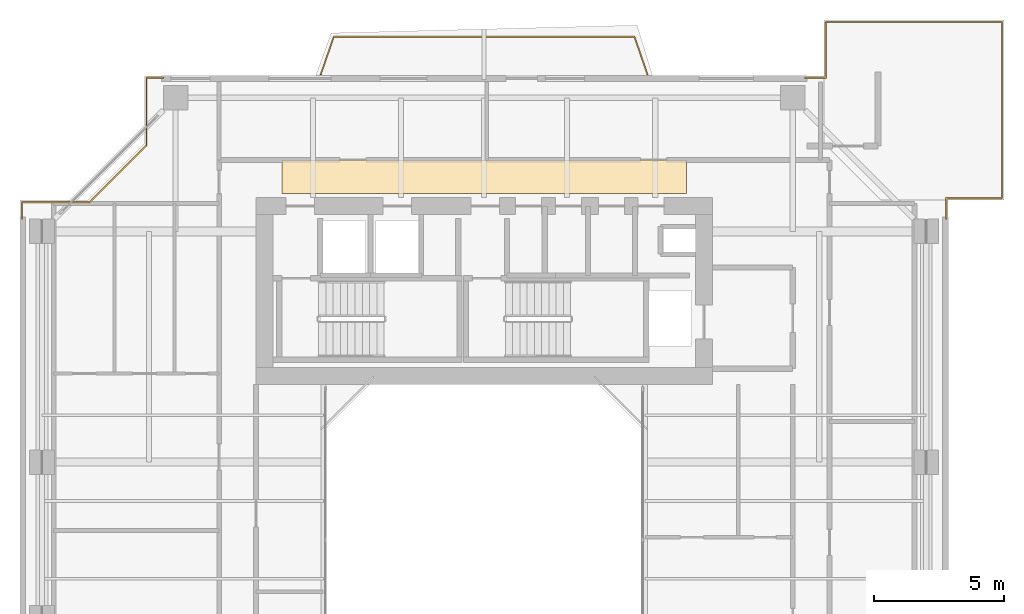
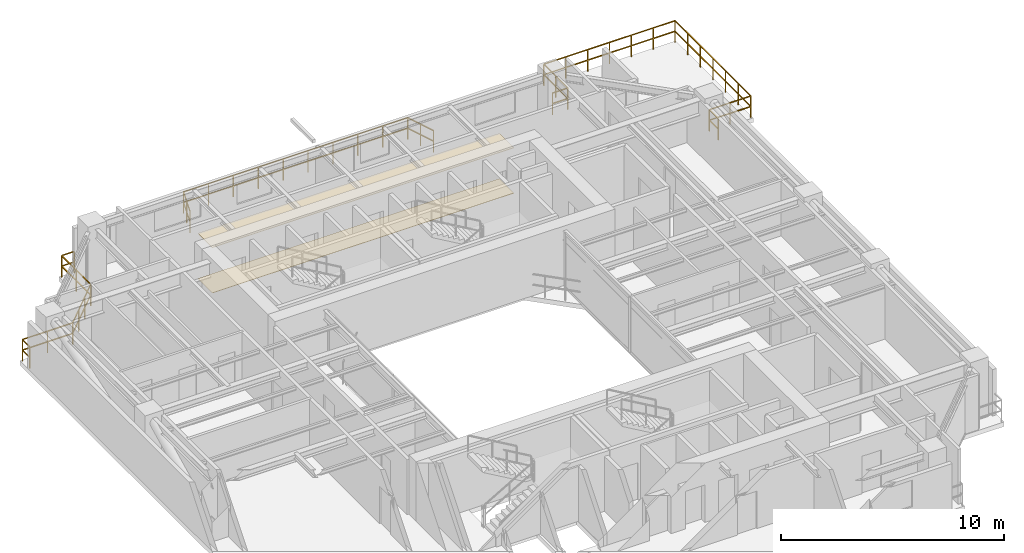
# One storey, part 14 of 14: 3 railings, 2 coverings.
"""IFC4 building model written with IfcOpenShell, lengths in metres."""

from ifc_helpers import new_model, si_unit, direction, frame, origin, origin_2d, place, context, subcontext, project, spatial, polyline, rectangle, outline, extrude, material, layer, layer_set, type_object, element, save


model = new_model("IFC4")

# Units and contexts
model_context = context("Model", 3, precision=1e-05, world=origin(), true_north=direction((0.0, 1.0)))
body_context = subcontext(model_context, "Body", "Model", "MODEL_VIEW")
ifc_project = project(units=[si_unit("LENGTHUNIT", "METRE"), si_unit("AREAUNIT", "SQUARE_METRE"), si_unit("VOLUMEUNIT", "CUBIC_METRE"), si_unit("PLANEANGLEUNIT", "RADIAN"), si_unit("MASSUNIT", "GRAM", prefix="KILO"), si_unit("THERMODYNAMICTEMPERATUREUNIT", "KELVIN"), si_unit("POWERUNIT", "WATT")], contexts=[model_context])

# Site, building, storey
site_placement = place(None, origin())
site = spatial("IfcSite", under=ifc_project, at=site_placement, CompositionType="ELEMENT")
building_placement = place(site_placement, origin())
building = spatial("IfcBuilding", under=site, at=building_placement, Name="Qiaomeng Ring Towers", CompositionType="ELEMENT")
storey_placement = place(building_placement, frame((0.0, 0.0, 173.0)))
storey = spatial("IfcBuildingStorey", under=building, at=storey_placement, Name="L50", CompositionType="ELEMENT", Elevation=173.0)

# Coverings
ifc_material_1 = material(Name="Mineral fibre acoustic ceiling tile", Category="gypsum")
ifc_layer_1 = layer(ifc_material_1, 0.02490234375, Name="Mineral fibre acoustic ceiling tile")
ifc_layer_set_1 = layer_set([ifc_layer_1], Name="Mineral fibre acoustic ceiling tile")
covering_type_1 = type_object("IfcCoveringType", Name="ARC-COV-CEIL1", PredefinedType="CEILING", material=ifc_layer_set_1)
covering_1_placement = place(storey_placement, frame((0.0, 0.0, 2.47998046875)))
element("IfcCovering", 1, at=covering_1_placement, inside=storey, type_object=covering_type_1, Name="L50 Corridor Acoustic Ceiling", PredefinedType="CEILING", context=body_context, shape_type="SweptSolid", body=[
    extrude(outline(polyline([(11.199951171875, 36.35009765625), (11.199951171875, 37.64990234375), (26.800048828125, 37.64990234375), (26.800048828125, 36.35009765625), (11.199951171875, 36.35009765625)])), origin(), (0.0, 0.0, 1.0), 0.02490234375),
])
ifc_material_2 = material(Name="Vitrified porcelain floor tile", Category="ceramic")
ifc_layer_2 = layer(ifc_material_2, 0.02001953125, Name="Vitrified porcelain floor tile")
ifc_layer_set_2 = layer_set([ifc_layer_2], Name="Vitrified porcelain floor tile")
covering_type_2 = type_object("IfcCoveringType", Name="ARC-COV-FLR1", PredefinedType="FLOORING", material=ifc_layer_set_2)
covering_2_placement = place(storey_placement, origin())
element("IfcCovering", 2, at=covering_2_placement, inside=storey, type_object=covering_type_2, Name="L50 Corridor Stone Flooring", PredefinedType="FLOORING", context=body_context, shape_type="SweptSolid", body=[
    extrude(outline(polyline([(11.199951171875, 36.35009765625), (11.199951171875, 37.64990234375), (26.800048828125, 37.64990234375), (26.800048828125, 36.35009765625), (11.199951171875, 36.35009765625)])), origin(), (0.0, 0.0, 1.0), 0.02001953125),
])

# Railings
ifc_material_3 = material(Name="Low-E pale-green laminated safety glass", Category="glass")
railing_type = type_object("IfcRailingType", Name="ARC-RL-BAL1", PredefinedType="BALUSTRADE", material=ifc_material_3)
railing_1_placement = place(storey_placement, frame((36.820068359375, 35.3798828125, 0.0)))
element("IfcRailing", 3, at=railing_1_placement, inside=storey, type_object=railing_type, Name="L50 Balustrade ARC-BAL-L50-SPIRAL-NE", PredefinedType="BALUSTRADE", context=body_context, shape_type="SweptSolid", body=[
    extrude(rectangle(XDim=0.048095703125, YDim=0.048095703125, at=origin_2d()), frame((0.0, 0.0, 1.17578125), z_axis=(0.0, 1.0, 0.0), x_axis=(-1.0, 0.0, 0.0)), (0.0, 0.0, 1.0), 0.800048828125),
    extrude(rectangle(XDim=0.048095703125, YDim=0.048095703125, at=origin_2d()), frame((0.0, 0.0, 0.60009765625), z_axis=(0.0, 1.0, 0.0), x_axis=(-1.0, 0.0, 0.0)), (0.0, 0.0, 1.0), 0.800048828125),
    extrude(rectangle(XDim=0.048095703125, YDim=0.048095703125, at=origin_2d()), frame((0.0, 0.800048828125, 1.17578125), z_axis=(1.0, 0.0, 0.0), x_axis=(0.0, 1.0, 0.0)), (0.0, 0.0, 1.0), 2.14990234375),
    extrude(rectangle(XDim=0.048095703125, YDim=0.048095703125, at=origin_2d()), frame((0.0, 0.800048828125, 0.60009765625), z_axis=(1.0, 0.0, 0.0), x_axis=(0.0, 1.0, 0.0)), (0.0, 0.0, 1.0), 2.14990234375),
    extrude(rectangle(XDim=0.048095703125, YDim=0.048095703125, at=origin_2d()), frame((2.14990234375, 0.800048828125, 1.17578125), z_axis=(0.0, 1.0, 0.0), x_axis=(-1.0, 0.0, 0.0)), (0.0, 0.0, 1.0), 6.7900390625),
    extrude(rectangle(XDim=0.048095703125, YDim=0.048095703125, at=origin_2d()), frame((2.14990234375, 0.800048828125, 0.60009765625), z_axis=(0.0, 1.0, 0.0), x_axis=(-1.0, 0.0, 0.0)), (0.0, 0.0, 1.0), 6.7900390625),
    extrude(rectangle(XDim=0.048095703125, YDim=0.048095703125, at=origin_2d()), frame((2.14990234375, 7.590087890625, 1.17578125), z_axis=(-1.0, 0.0, 0.0), x_axis=(0.0, -1.0, 0.0)), (0.0, 0.0, 1.0), 6.7900390625),
    extrude(rectangle(XDim=0.048095703125, YDim=0.048095703125, at=origin_2d()), frame((2.14990234375, 7.590087890625, 0.60009765625), z_axis=(-1.0, 0.0, 0.0), x_axis=(0.0, -1.0, 0.0)), (0.0, 0.0, 1.0), 6.7900390625),
    extrude(rectangle(XDim=0.048095703125, YDim=0.048095703125, at=origin_2d()), frame((-4.64013671875, 7.590087890625, 1.17578125), z_axis=(0.0, -1.0, 0.0), x_axis=(1.0, 0.0, 0.0)), (0.0, 0.0, 1.0), 2.14990234375),
    extrude(rectangle(XDim=0.048095703125, YDim=0.048095703125, at=origin_2d()), frame((-4.64013671875, 7.590087890625, 0.60009765625), z_axis=(0.0, -1.0, 0.0), x_axis=(1.0, 0.0, 0.0)), (0.0, 0.0, 1.0), 2.14990234375),
    extrude(rectangle(XDim=0.048095703125, YDim=0.048095703125, at=origin_2d()), frame((-4.64013671875, 5.440185546875, 1.17578125), z_axis=(-1.0, 0.0, 0.0), x_axis=(0.0, -1.0, 0.0)), (0.0, 0.0, 1.0), 0.800048828125),
    extrude(rectangle(XDim=0.048095703125, YDim=0.048095703125, at=origin_2d()), frame((-4.64013671875, 5.440185546875, 0.60009765625), z_axis=(-1.0, 0.0, 0.0), x_axis=(0.0, -1.0, 0.0)), (0.0, 0.0, 1.0), 0.800048828125),
    extrude(rectangle(XDim=0.0419921875, YDim=0.0419921875, at=origin_2d()), origin(), (0.0, 0.0, 1.0), 1.15185546875),
    extrude(rectangle(XDim=0.0419921875, YDim=0.0419921875, at=origin_2d()), frame((0.0, 0.800048828125, 0.0)), (0.0, 0.0, 1.0), 1.15185546875),
    extrude(rectangle(XDim=0.0419921875, YDim=0.0419921875, at=origin_2d()), frame((1.074951171875, 0.800048828125, 0.0)), (0.0, 0.0, 1.0), 1.15185546875),
    extrude(rectangle(XDim=0.0419921875, YDim=0.0419921875, at=origin_2d()), frame((2.14990234375, 0.800048828125, 0.0)), (0.0, 0.0, 1.0), 1.15185546875),
    extrude(rectangle(XDim=0.0419921875, YDim=0.0419921875, at=origin_2d()), frame((2.14990234375, 1.931640625, 0.0)), (0.0, 0.0, 1.0), 1.15185546875),
    extrude(rectangle(XDim=0.0419921875, YDim=0.0419921875, at=origin_2d()), frame((2.14990234375, 3.0634765625, 0.0)), (0.0, 0.0, 1.0), 1.15185546875),
    extrude(rectangle(XDim=0.0419921875, YDim=0.0419921875, at=origin_2d()), frame((2.14990234375, 4.195068359375, 0.0)), (0.0, 0.0, 1.0), 1.15185546875),
    extrude(rectangle(XDim=0.0419921875, YDim=0.0419921875, at=origin_2d()), frame((2.14990234375, 5.32666015625, 0.0)), (0.0, 0.0, 1.0), 1.15185546875),
    extrude(rectangle(XDim=0.0419921875, YDim=0.0419921875, at=origin_2d()), frame((2.14990234375, 6.45849609375, 0.0)), (0.0, 0.0, 1.0), 1.15185546875),
    extrude(rectangle(XDim=0.0419921875, YDim=0.0419921875, at=origin_2d()), frame((2.14990234375, 7.590087890625, 0.0)), (0.0, 0.0, 1.0), 1.15185546875),
    extrude(rectangle(XDim=0.0419921875, YDim=0.0419921875, at=origin_2d()), frame((1.018310546875, 7.590087890625, 0.0)), (0.0, 0.0, 1.0), 1.15185546875),
    extrude(rectangle(XDim=0.0419921875, YDim=0.0419921875, at=origin_2d()), frame((-0.113525390625, 7.590087890625, 0.0)), (0.0, 0.0, 1.0), 1.15185546875),
    extrude(rectangle(XDim=0.0419921875, YDim=0.0419921875, at=origin_2d()), frame((-1.2451171875, 7.590087890625, 0.0)), (0.0, 0.0, 1.0), 1.15185546875),
    extrude(rectangle(XDim=0.0419921875, YDim=0.0419921875, at=origin_2d()), frame((-2.376708984375, 7.590087890625, 0.0)), (0.0, 0.0, 1.0), 1.15185546875),
    extrude(rectangle(XDim=0.0419921875, YDim=0.0419921875, at=origin_2d()), frame((-3.508544921875, 7.590087890625, 0.0)), (0.0, 0.0, 1.0), 1.15185546875),
    extrude(rectangle(XDim=0.0419921875, YDim=0.0419921875, at=origin_2d()), frame((-4.64013671875, 7.590087890625, 0.0)), (0.0, 0.0, 1.0), 1.15185546875),
    extrude(rectangle(XDim=0.0419921875, YDim=0.0419921875, at=origin_2d()), frame((-4.64013671875, 6.51513671875, 0.0)), (0.0, 0.0, 1.0), 1.15185546875),
    extrude(rectangle(XDim=0.0419921875, YDim=0.0419921875, at=origin_2d()), frame((-4.64013671875, 5.440185546875, 0.0)), (0.0, 0.0, 1.0), 1.15185546875),
    extrude(rectangle(XDim=0.0419921875, YDim=0.0419921875, at=origin_2d()), frame((-5.440185546875, 5.440185546875, 0.0)), (0.0, 0.0, 1.0), 1.15185546875),
])
railing_2_placement = place(storey_placement, frame((6.6298828125, 40.820068359375, 0.0)))
element("IfcRailing", 4, at=railing_2_placement, inside=storey, type_object=railing_type, Name="L50 Balustrade ARC-BAL-NOTCH1-L50-NW", PredefinedType="BALUSTRADE", context=body_context, shape_type="SweptSolid", body=[
    extrude(rectangle(XDim=0.048095703125, YDim=0.048095703125, at=origin_2d()), frame((0.0, 0.0, 1.17578125), z_axis=(-1.0, 0.0, 0.0), x_axis=(0.0, -1.0, 0.0)), (0.0, 0.0, 1.0), 0.64990234375),
    extrude(rectangle(XDim=0.048095703125, YDim=0.048095703125, at=origin_2d()), frame((0.0, 0.0, 0.60009765625), z_axis=(-1.0, 0.0, 0.0), x_axis=(0.0, -1.0, 0.0)), (0.0, 0.0, 1.0), 0.64990234375),
    extrude(rectangle(XDim=0.048095703125, YDim=0.048095703125, at=origin_2d()), frame((-0.64990234375, 0.0, 1.17578125), z_axis=(0.0, -1.0, 0.0), x_axis=(1.0, 0.0, 0.0)), (0.0, 0.0, 1.0), 2.60009765625),
    extrude(rectangle(XDim=0.048095703125, YDim=0.048095703125, at=origin_2d()), frame((-0.64990234375, 0.0, 0.60009765625), z_axis=(0.0, -1.0, 0.0), x_axis=(1.0, 0.0, 0.0)), (0.0, 0.0, 1.0), 2.60009765625),
    extrude(rectangle(XDim=0.048095703125, YDim=0.048095703125, at=origin_2d()), frame((-0.64990234375, -2.60009765625, 1.17578125), z_axis=(-0.707106781187, -0.707106781187, 0.0), x_axis=(0.707106781187, -0.707106781187, 0.0)), (0.0, 0.0, 1.0), 3.111083984375),
    extrude(rectangle(XDim=0.048095703125, YDim=0.048095703125, at=origin_2d()), frame((-0.64990234375, -2.60009765625, 0.60009765625), z_axis=(-0.707106781187, -0.707106781187, 0.0), x_axis=(0.707106781187, -0.707106781187, 0.0)), (0.0, 0.0, 1.0), 3.111083984375),
    extrude(rectangle(XDim=0.048095703125, YDim=0.048095703125, at=origin_2d()), frame((-2.849853515625, -4.800048828125, 1.17578125), z_axis=(-1.0, 0.0, 0.0), x_axis=(0.0, -1.0, 0.0)), (0.0, 0.0, 1.0), 2.60009765625),
    extrude(rectangle(XDim=0.048095703125, YDim=0.048095703125, at=origin_2d()), frame((-2.849853515625, -4.800048828125, 0.60009765625), z_axis=(-1.0, 0.0, 0.0), x_axis=(0.0, -1.0, 0.0)), (0.0, 0.0, 1.0), 2.60009765625),
    extrude(rectangle(XDim=0.048095703125, YDim=0.048095703125, at=origin_2d()), frame((-5.449951171875, -4.800048828125, 1.17578125), z_axis=(0.0, -1.0, 0.0), x_axis=(1.0, 0.0, 0.0)), (0.0, 0.0, 1.0), 0.64990234375),
    extrude(rectangle(XDim=0.048095703125, YDim=0.048095703125, at=origin_2d()), frame((-5.449951171875, -4.800048828125, 0.60009765625), z_axis=(0.0, -1.0, 0.0), x_axis=(1.0, 0.0, 0.0)), (0.0, 0.0, 1.0), 0.64990234375),
    extrude(rectangle(XDim=0.0419921875, YDim=0.0419921875, at=origin_2d()), origin(), (0.0, 0.0, 1.0), 1.15185546875),
    extrude(rectangle(XDim=0.0419921875, YDim=0.0419921875, at=origin_2d()), frame((-0.64990234375, 0.0, 0.0)), (0.0, 0.0, 1.0), 1.15185546875),
    extrude(rectangle(XDim=0.0419921875, YDim=0.0419921875, at=origin_2d()), frame((-0.64990234375, -1.300048828125, 0.0)), (0.0, 0.0, 1.0), 1.15185546875),
    extrude(rectangle(XDim=0.0419921875, YDim=0.0419921875, at=origin_2d()), frame((-0.64990234375, -2.60009765625, 0.0)), (0.0, 0.0, 1.0), 1.15185546875),
    extrude(rectangle(XDim=0.0419921875, YDim=0.0419921875, at=origin_2d()), frame((-1.38330078125, -3.33349609375, 0.0)), (0.0, 0.0, 1.0), 1.15185546875),
    extrude(rectangle(XDim=0.0419921875, YDim=0.0419921875, at=origin_2d()), frame((-2.116455078125, -4.066650390625, 0.0)), (0.0, 0.0, 1.0), 1.15185546875),
    extrude(rectangle(XDim=0.0419921875, YDim=0.0419921875, at=origin_2d()), frame((-2.849853515625, -4.800048828125, 0.0)), (0.0, 0.0, 1.0), 1.15185546875),
    extrude(rectangle(XDim=0.0419921875, YDim=0.0419921875, at=origin_2d()), frame((-4.14990234375, -4.800048828125, 0.0)), (0.0, 0.0, 1.0), 1.15185546875),
    extrude(rectangle(XDim=0.0419921875, YDim=0.0419921875, at=origin_2d()), frame((-5.449951171875, -4.800048828125, 0.0)), (0.0, 0.0, 1.0), 1.15185546875),
    extrude(rectangle(XDim=0.0419921875, YDim=0.0419921875, at=origin_2d()), frame((-5.449951171875, -5.449951171875, 0.0)), (0.0, 0.0, 1.0), 1.15185546875),
])
railing_3_placement = place(storey_placement, frame((12.699951171875, 40.949951171875, 0.0)))
element("IfcRailing", 5, at=railing_3_placement, inside=storey, type_object=railing_type, Name="L50 Balustrade ARC-BAL-L50-T1-N", PredefinedType="BALUSTRADE", context=body_context, shape_type="SweptSolid", body=[
    extrude(rectangle(XDim=0.048095703125, YDim=0.048095703125, at=origin_2d()), frame((0.0, 0.0, 1.17578125), z_axis=(0.326000494605, 0.945369598368, 0.0), x_axis=(-0.945369598368, 0.326000494605, 0.0)), (0.0, 0.0, 1.0), 1.53369140625),
    extrude(rectangle(XDim=0.048095703125, YDim=0.048095703125, at=origin_2d()), frame((0.0, 0.0, 0.60009765625), z_axis=(0.326000494605, 0.945369598368, 0.0), x_axis=(-0.945369598368, 0.326000494605, 0.0)), (0.0, 0.0, 1.0), 1.53369140625),
    extrude(rectangle(XDim=0.048095703125, YDim=0.048095703125, at=origin_2d()), frame((0.5, 1.449951171875, 1.17578125), z_axis=(1.0, 0.0, 0.0), x_axis=(0.0, 1.0, 0.0)), (0.0, 0.0, 1.0), 11.60009765625),
    extrude(rectangle(XDim=0.048095703125, YDim=0.048095703125, at=origin_2d()), frame((0.5, 1.449951171875, 0.60009765625), z_axis=(1.0, 0.0, 0.0), x_axis=(0.0, 1.0, 0.0)), (0.0, 0.0, 1.0), 11.60009765625),
    extrude(rectangle(XDim=0.048095703125, YDim=0.048095703125, at=origin_2d()), frame((12.10009765625, 1.449951171875, 1.17578125), z_axis=(0.326000494605, -0.945369598368, 0.0), x_axis=(0.945369598368, 0.326000494605, 0.0)), (0.0, 0.0, 1.0), 1.53369140625),
    extrude(rectangle(XDim=0.048095703125, YDim=0.048095703125, at=origin_2d()), frame((12.10009765625, 1.449951171875, 0.60009765625), z_axis=(0.326000494605, -0.945369598368, 0.0), x_axis=(0.945369598368, 0.326000494605, 0.0)), (0.0, 0.0, 1.0), 1.53369140625),
    extrude(rectangle(XDim=0.0419921875, YDim=0.0419921875, at=origin_2d()), origin(), (0.0, 0.0, 1.0), 1.15185546875),
    extrude(rectangle(XDim=0.0419921875, YDim=0.0419921875, at=origin_2d()), frame((0.25, 0.72509765625, 0.0)), (0.0, 0.0, 1.0), 1.15185546875),
    extrude(rectangle(XDim=0.0419921875, YDim=0.0419921875, at=origin_2d()), frame((0.5, 1.449951171875, 0.0)), (0.0, 0.0, 1.0), 1.15185546875),
    extrude(rectangle(XDim=0.0419921875, YDim=0.0419921875, at=origin_2d()), frame((1.788818359375, 1.449951171875, 0.0)), (0.0, 0.0, 1.0), 1.15185546875),
    extrude(rectangle(XDim=0.0419921875, YDim=0.0419921875, at=origin_2d()), frame((3.077880859375, 1.449951171875, 0.0)), (0.0, 0.0, 1.0), 1.15185546875),
    extrude(rectangle(XDim=0.0419921875, YDim=0.0419921875, at=origin_2d()), frame((4.36669921875, 1.449951171875, 0.0)), (0.0, 0.0, 1.0), 1.15185546875),
    extrude(rectangle(XDim=0.0419921875, YDim=0.0419921875, at=origin_2d()), frame((5.655517578125, 1.449951171875, 0.0)), (0.0, 0.0, 1.0), 1.15185546875),
    extrude(rectangle(XDim=0.0419921875, YDim=0.0419921875, at=origin_2d()), frame((6.944580078125, 1.449951171875, 0.0)), (0.0, 0.0, 1.0), 1.15185546875),
    extrude(rectangle(XDim=0.0419921875, YDim=0.0419921875, at=origin_2d()), frame((8.2333984375, 1.449951171875, 0.0)), (0.0, 0.0, 1.0), 1.15185546875),
    extrude(rectangle(XDim=0.0419921875, YDim=0.0419921875, at=origin_2d()), frame((9.522216796875, 1.449951171875, 0.0)), (0.0, 0.0, 1.0), 1.15185546875),
    extrude(rectangle(XDim=0.0419921875, YDim=0.0419921875, at=origin_2d()), frame((10.811279296875, 1.449951171875, 0.0)), (0.0, 0.0, 1.0), 1.15185546875),
    extrude(rectangle(XDim=0.0419921875, YDim=0.0419921875, at=origin_2d()), frame((12.10009765625, 1.449951171875, 0.0)), (0.0, 0.0, 1.0), 1.15185546875),
    extrude(rectangle(XDim=0.0419921875, YDim=0.0419921875, at=origin_2d()), frame((12.35009765625, 0.72509765625, 0.0)), (0.0, 0.0, 1.0), 1.15185546875),
    extrude(rectangle(XDim=0.0419921875, YDim=0.0419921875, at=origin_2d()), frame((12.60009765625, 0.0, 0.0)), (0.0, 0.0, 1.0), 1.15185546875),
])

save(model, "model.ifc")
